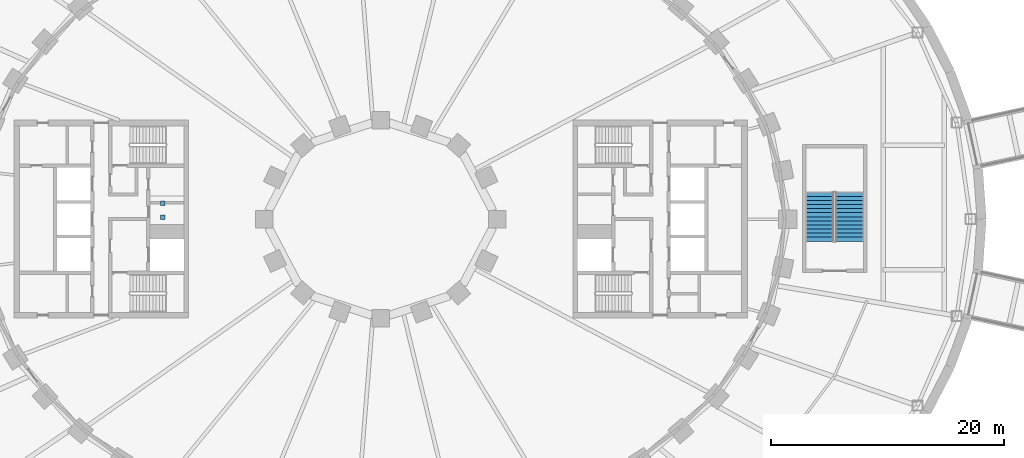
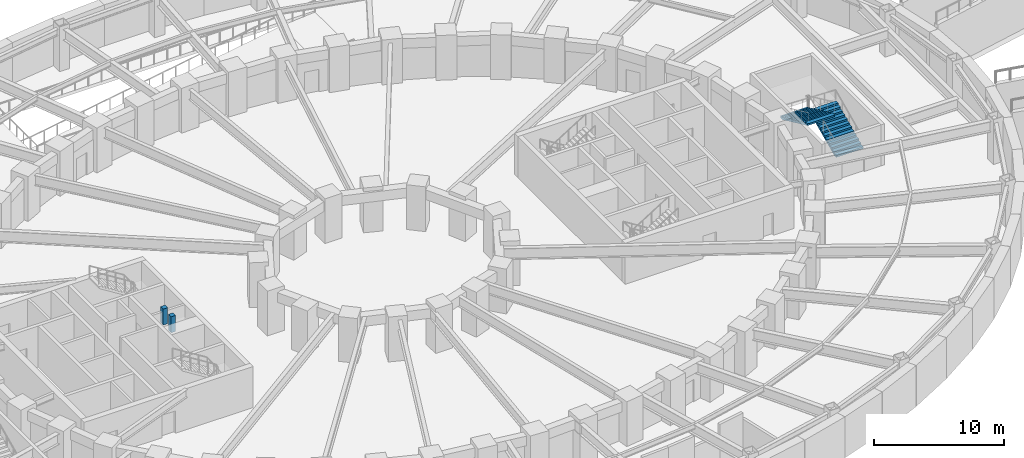
# One storey, part 24 of 32: 2 discrete accessories, 2 stair flights, 1 element without a shape of its own.
"""IFC4 building model written with IfcOpenShell, lengths in metres."""

from ifc_helpers import new_model, si_unit, direction, frame, origin, origin_2d, place, context, subcontext, project, spatial, polyline, rectangle, outline, extrude, material, type_object, element, aggregate, save


model = new_model("IFC4")

# Units and contexts
model_context = context("Model", 3, precision=1e-05, world=origin(), true_north=direction((0.0, 1.0)))
body_context = subcontext(model_context, "Body", "Model", "MODEL_VIEW")
ifc_project = project(units=[si_unit("LENGTHUNIT", "METRE"), si_unit("AREAUNIT", "SQUARE_METRE"), si_unit("VOLUMEUNIT", "CUBIC_METRE"), si_unit("PLANEANGLEUNIT", "RADIAN"), si_unit("MASSUNIT", "GRAM", prefix="KILO")], contexts=[model_context])

# Site, building, storey
site_placement = place(None, origin())
site = spatial("IfcSite", under=ifc_project, at=site_placement, CompositionType="ELEMENT")
building_placement = place(site_placement, origin())
building = spatial("IfcBuilding", under=site, at=building_placement, Name="Noorbagh Ring Tower", CompositionType="ELEMENT")
storey_placement = place(building_placement, frame((0.0, 0.0, -4.199951171875)))
storey = spatial("IfcBuildingStorey", under=building, at=storey_placement, Name="B1", CompositionType="ELEMENT", Elevation=-4.199951171875)

# Stair, stair flights
ifc_material_1 = material(Name="Concrete C40/50", Category="concrete")
stair_type = type_object("IfcStairType", Name="GND-STAIR", PredefinedType="HALF_TURN_STAIR", material=ifc_material_1)
stair_placement = place(storey_placement, origin())
stair = element("IfcStair", 1, at=stair_placement, inside=storey, type_object=stair_type, Name="B1 exit stair ST-P2", PredefinedType="HALF_TURN_STAIR")
ifc_material_2 = material(Name="Concrete C40/50", Category="concrete")
stair_flight_type = type_object("IfcStairFlightType", Name="GND-STAIR-FLIGHT", PredefinedType="STRAIGHT", material=ifc_material_2)
stair_flight_1_placement = place(storey_placement, frame((40.25, -1.89990234375, 0.0), z_axis=(0.0, 0.0, 1.0), x_axis=(0.0, 1.0, 0.0)))
stair_flight_1 = element("IfcStairFlight", 2, at=stair_flight_1_placement, type_object=stair_flight_type, Name="ST-P2 flight 1", NumberOfRisers=13, NumberOfTreads=12, PredefinedType="STRAIGHT", RiserHeight=0.161538462, TreadLength=0.35, context=body_context, shape_type="SweptSolid", body=[
    extrude(outline(polyline([(0.0, 0.0), (0.0, 0.16162109375), (0.35009765625, 0.16162109375), (0.35009765625, 0.322998046875), (0.699951171875, 0.322998046875), (0.699951171875, 0.484619140625), (1.050048828125, 0.484619140625), (1.050048828125, 0.646240234375), (1.39990234375, 0.646240234375), (1.39990234375, 0.8076171875), (1.75, 0.8076171875), (1.75, 0.96923828125), (2.10009765625, 0.96923828125), (2.10009765625, 1.130859375), (2.449951171875, 1.130859375), (2.449951171875, 1.292236328125), (2.800048828125, 1.292236328125), (2.800048828125, 1.453857421875), (3.14990234375, 1.453857421875), (3.14990234375, 1.615478515625), (3.5, 1.615478515625), (3.5, 1.77685546875), (3.85009765625, 1.77685546875), (3.85009765625, 1.9384765625), (4.199951171875, 1.9384765625), (4.199951171875, 2.10009765625), (4.199951171875, 1.7734375), (0.357666015625, 0.0), (0.0, 0.0)])), frame((0.0, 1.199951171875, 0.0), z_axis=(0.0, -1.0, 0.0), x_axis=(1.0, 0.0, 0.0)), (0.0, 0.0, 1.0), 2.39990234375),
])
stair_flight_2_placement = place(storey_placement, frame((37.699951171875, 2.300048828125, 2.099853515625), z_axis=(0.0, 0.0, 1.0), x_axis=(0.0, -1.0, 0.0)))
stair_flight_2 = element("IfcStairFlight", 3, at=stair_flight_2_placement, type_object=stair_flight_type, Name="ST-P2 flight 2", NumberOfRisers=13, NumberOfTreads=12, PredefinedType="STRAIGHT", RiserHeight=0.161538462, TreadLength=0.35, context=body_context, shape_type="SweptSolid", body=[
    extrude(outline(polyline([(0.0, 0.0), (0.0, 0.16162109375), (0.35009765625, 0.16162109375), (0.35009765625, 0.322998046875), (0.699951171875, 0.322998046875), (0.699951171875, 0.484619140625), (1.050048828125, 0.484619140625), (1.050048828125, 0.646240234375), (1.39990234375, 0.646240234375), (1.39990234375, 0.8076171875), (1.75, 0.8076171875), (1.75, 0.96923828125), (2.10009765625, 0.96923828125), (2.10009765625, 1.130859375), (2.449951171875, 1.130859375), (2.449951171875, 1.292236328125), (2.800048828125, 1.292236328125), (2.800048828125, 1.453857421875), (3.14990234375, 1.453857421875), (3.14990234375, 1.615478515625), (3.5, 1.615478515625), (3.5, 1.77685546875), (3.85009765625, 1.77685546875), (3.85009765625, 1.9384765625), (4.199951171875, 1.9384765625), (4.199951171875, 2.10009765625), (4.199951171875, 1.7734375), (0.357666015625, 0.0), (0.0, 0.0)])), frame((0.0, 1.199951171875, 0.0), z_axis=(0.0, -1.0, 0.0), x_axis=(1.0, 0.0, 0.0)), (0.0, 0.0, 1.0), 2.39990234375),
])
aggregate(stair, [stair_flight_1, stair_flight_2])

# Discrete accessories
ifc_material_3 = material(Name="Steel S355", Category="steel")
discrete_accessory_type = type_object("IfcDiscreteAccessoryType", Name="CORE-LIFT-BUFFER", PredefinedType="BRACKET", material=ifc_material_3)
for number, where, z_axis, x_axis, name in (
    (4, (-18.699951171875, 0.175048828125, 2.699951171875), (0.0, 0.0, 1.0), (1.0, 0.0, 0.0), "Lift buffer OB1"),
    (5, (-18.699951171875, 1.375, 2.699951171875), (0.0, 0.0, 1.0), (1.0, 0.0, 0.0), "Lift buffer OB1"),
):
    element("IfcDiscreteAccessory", number, at=place(storey_placement, frame(where, z_axis=z_axis, x_axis=x_axis)), inside=storey, type_object=discrete_accessory_type, Name=name, PredefinedType="BRACKET", context=body_context, shape_type="SweptSolid", body=[
        extrude(rectangle(XDim=0.39990234375, YDim=0.39990234375, at=origin_2d()), origin(), (0.0, 0.0, 1.0), 1.5),
    ])

save(model, "model.ifc")
